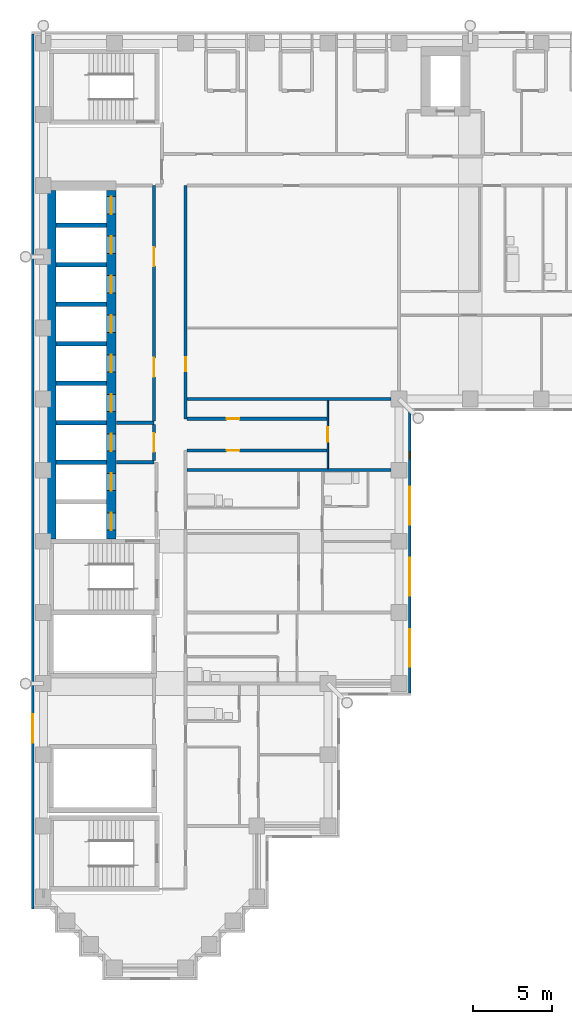
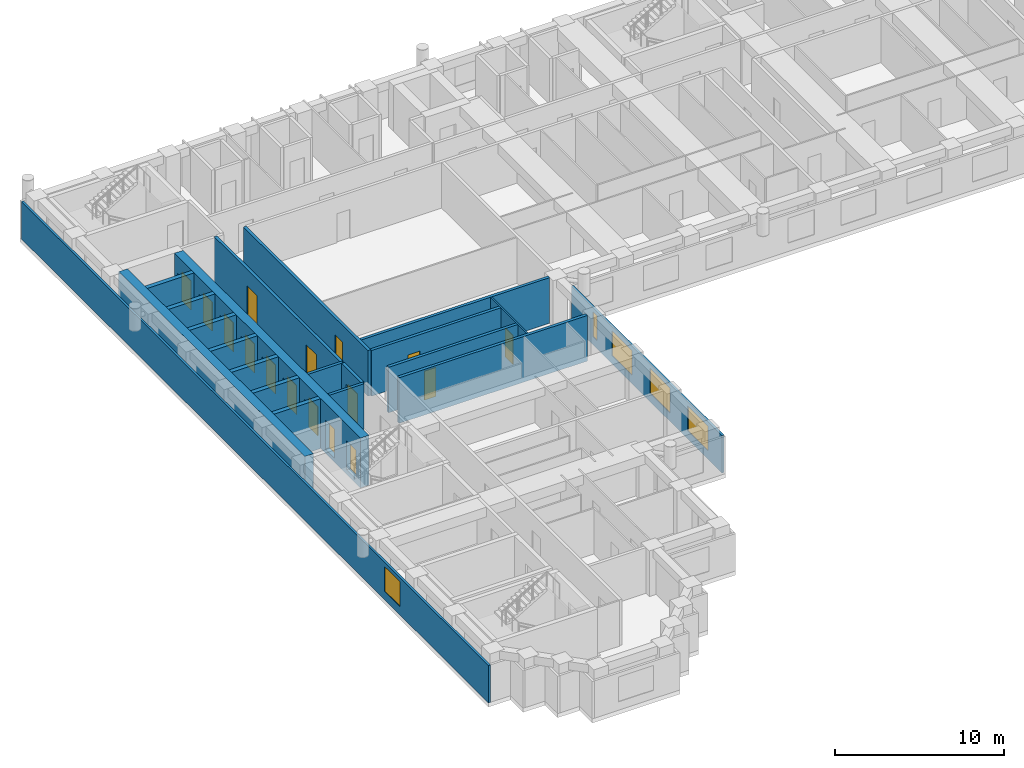
# One storey, part 6 of 14: 21 walls, 16 doors, 5 windows, 21 openings.
"""IFC4 building model written with IfcOpenShell, lengths in metres."""

from ifc_helpers import new_model, si_unit, direction, frame, frame_2d, origin, place, context, subcontext, project, spatial, rectangle, extrude, material, layer, layer_set, type_object, element, fill, save


model = new_model("IFC4")

# Units and contexts
model_context = context("Model", 3, precision=1e-05, world=origin(), true_north=direction((0.0, 1.0)))
body_context = subcontext(model_context, "Body", "Model", "MODEL_VIEW")
ifc_project = project(units=[si_unit("LENGTHUNIT", "METRE"), si_unit("AREAUNIT", "SQUARE_METRE"), si_unit("VOLUMEUNIT", "CUBIC_METRE"), si_unit("PLANEANGLEUNIT", "RADIAN"), si_unit("MASSUNIT", "GRAM", prefix="KILO")], contexts=[model_context])

# Site, building, storey
site_placement = place(None, origin())
site = spatial("IfcSite", under=ifc_project, at=site_placement, CompositionType="ELEMENT")
building_placement = place(site_placement, origin())
building = spatial("IfcBuilding", under=site, at=building_placement, Name="Firuza Court", CompositionType="ELEMENT")
storey_placement = place(building_placement, frame((0.0, 0.0, 159.199951171875)))
storey = spatial("IfcBuildingStorey", under=building, at=storey_placement, Name="L40", CompositionType="ELEMENT", Elevation=159.199951171875)

# Walls
ifc_material_1 = material(Name="Concrete C60/75", Category="concrete")
ifc_layer_1 = layer(ifc_material_1, 0.300048828125)
ifc_layer_set_1 = layer_set([ifc_layer_1], Name="Concrete C60/75")
wall_type_1 = type_object("IfcWallType", Name="Core wall 300 C60/75", PredefinedType="SHEAR", material=ifc_layer_set_1)
for number, where, z_axis, x_axis, name in (
    (1, (0.800048828125, 32.0, -0.300048828125), (0.0, 0.0, 1.0), (1.0, 0.0, 0.0), "Core wall lift shaft L40"),
    (2, (0.800048828125, 34.5, -0.300048828125), (0.0, 0.0, 1.0), (1.0, 0.0, 0.0), "Core wall lift shaft L40"),
    (3, (0.800048828125, 37.0, -0.300048828125), (0.0, 0.0, 1.0), (1.0, 0.0, 0.0), "Core wall lift shaft L40"),
    (4, (0.800048828125, 39.5, -0.300048828125), (0.0, 0.0, 1.0), (1.0, 0.0, 0.0), "Core wall lift shaft L40"),
    (5, (0.800048828125, 42.0, -0.300048828125), (0.0, 0.0, 1.0), (1.0, 0.0, 0.0), "Core wall lift shaft L40"),
    (6, (0.800048828125, 44.5, -0.300048828125), (0.0, 0.0, 1.0), (1.0, 0.0, 0.0), "Core wall lift shaft L40"),
    (7, (0.800048828125, 47.0, -0.300048828125), (0.0, 0.0, 1.0), (1.0, 0.0, 0.0), "Core wall lift shaft L40"),
):
    element("IfcWall", number, at=place(storey_placement, frame(where, z_axis=z_axis, x_axis=x_axis)), inside=storey, type_object=wall_type_1, Name=name, PredefinedType="SHEAR", context=body_context, shape_type="SweptSolid", body=[
        extrude(rectangle(XDim=3.199951171875, YDim=0.300048828125, at=frame_2d((1.60009765625, 0.0))), origin(), (0.0, 0.0, 1.0), 3.60009765625),
    ])
ifc_layer_2 = layer(ifc_material_1, 0.60009765625)
ifc_layer_set_2 = layer_set([ifc_layer_2], Name="Concrete C60/75")
wall_type_2 = type_object("IfcWallType", Name="Core wall 600 C60/75", PredefinedType="SHEAR", material=ifc_layer_set_2)
wall_1_placement = place(storey_placement, frame((0.5, 27.14990234375, -0.300048828125), z_axis=(0.0, 0.0, 1.0), x_axis=(0.0, 1.0, 0.0)))
element("IfcWall", 8, at=wall_1_placement, inside=storey, type_object=wall_type_2, Name="Core wall lift shaft L40", PredefinedType="SHEAR", context=body_context, shape_type="SweptSolid", body=[
    extrude(rectangle(XDim=22.050048828125, YDim=0.60009765625, at=frame_2d((11.02490234375, 0.0))), origin(), (0.0, 0.0, 1.0), 3.60009765625),
])

# Wall, openings, doors
wall_2_placement = place(storey_placement, frame((4.300048828125, 27.14990234375, -0.300048828125), z_axis=(0.0, 0.0, 1.0), x_axis=(0.0, 1.0, 0.0)))
wall_2 = element("IfcWall", 9, at=wall_2_placement, inside=storey, type_object=wall_type_2, Name="Core wall lift shaft L40", PredefinedType="SHEAR", context=body_context, shape_type="SweptSolid", body=[
    extrude(rectangle(XDim=22.050048828125, YDim=0.60009765625, at=frame_2d((11.02490234375, 0.0))), origin(), (0.0, 0.0, 1.0), 3.60009765625),
])
opening_1_placement = place(wall_2_placement, frame((3.050048828125, 0.0, 0.300048828125)))
opening_1 = element("IfcOpeningElement", 10, at=opening_1_placement, cuts=wall_2, Name="Opening LD-FL1-40", PredefinedType="OPENING", context=body_context, shape_type="SweptSolid", body=[
    extrude(rectangle(XDim=1.10009765625, YDim=2.10009765625, at=frame_2d((0.550048828125, 1.050048828125))), frame((0.0, 0.31201171875, 0.0), z_axis=(0.0, -1.0, 0.0), x_axis=(1.0, 0.0, 0.0)), (0.0, 0.0, 1.0), 0.6240234375),
])
opening_2_placement = place(wall_2_placement, frame((0.550048828125, 0.0, 0.300048828125)))
opening_2 = element("IfcOpeningElement", 11, at=opening_2_placement, cuts=wall_2, Name="Opening LD-FL2-40", PredefinedType="OPENING", context=body_context, shape_type="SweptSolid", body=[
    extrude(rectangle(XDim=1.10009765625, YDim=2.10009765625, at=frame_2d((0.550048828125, 1.050048828125))), frame((0.0, 0.31201171875, 0.0), z_axis=(0.0, -1.0, 0.0), x_axis=(1.0, 0.0, 0.0)), (0.0, 0.0, 1.0), 0.6240234375),
])
opening_3_placement = place(wall_2_placement, frame((20.550048828125, 0.0, 0.300048828125)))
opening_3 = element("IfcOpeningElement", 12, at=opening_3_placement, cuts=wall_2, Name="Opening LD-HB1-40", PredefinedType="OPENING", context=body_context, shape_type="SweptSolid", body=[
    extrude(rectangle(XDim=1.10009765625, YDim=2.10009765625, at=frame_2d((0.550048828125, 1.050048828125))), frame((0.0, 0.31201171875, 0.0), z_axis=(0.0, -1.0, 0.0), x_axis=(1.0, 0.0, 0.0)), (0.0, 0.0, 1.0), 0.6240234375),
])
opening_4_placement = place(wall_2_placement, frame((18.050048828125, 0.0, 0.300048828125)))
opening_4 = element("IfcOpeningElement", 13, at=opening_4_placement, cuts=wall_2, Name="Opening LD-HB2-40", PredefinedType="OPENING", context=body_context, shape_type="SweptSolid", body=[
    extrude(rectangle(XDim=1.10009765625, YDim=2.10009765625, at=frame_2d((0.550048828125, 1.050048828125))), frame((0.0, 0.31201171875, 0.0), z_axis=(0.0, -1.0, 0.0), x_axis=(1.0, 0.0, 0.0)), (0.0, 0.0, 1.0), 0.6240234375),
])
opening_5_placement = place(wall_2_placement, frame((15.550048828125, 0.0, 0.300048828125)))
opening_5 = element("IfcOpeningElement", 14, at=opening_5_placement, cuts=wall_2, Name="Opening LD-HB3-40", PredefinedType="OPENING", context=body_context, shape_type="SweptSolid", body=[
    extrude(rectangle(XDim=1.10009765625, YDim=2.10009765625, at=frame_2d((0.550048828125, 1.050048828125))), frame((0.0, 0.31201171875, 0.0), z_axis=(0.0, -1.0, 0.0), x_axis=(1.0, 0.0, 0.0)), (0.0, 0.0, 1.0), 0.6240234375),
])
opening_6_placement = place(wall_2_placement, frame((13.050048828125, 0.0, 0.300048828125)))
opening_6 = element("IfcOpeningElement", 15, at=opening_6_placement, cuts=wall_2, Name="Opening LD-HB4-40", PredefinedType="OPENING", context=body_context, shape_type="SweptSolid", body=[
    extrude(rectangle(XDim=1.10009765625, YDim=2.10009765625, at=frame_2d((0.550048828125, 1.050048828125))), frame((0.0, 0.31201171875, 0.0), z_axis=(0.0, -1.0, 0.0), x_axis=(1.0, 0.0, 0.0)), (0.0, 0.0, 1.0), 0.6240234375),
])
opening_7_placement = place(wall_2_placement, frame((10.550048828125, 0.0, 0.300048828125)))
opening_7 = element("IfcOpeningElement", 16, at=opening_7_placement, cuts=wall_2, Name="Opening LD-HB5-40", PredefinedType="OPENING", context=body_context, shape_type="SweptSolid", body=[
    extrude(rectangle(XDim=1.10009765625, YDim=2.10009765625, at=frame_2d((0.550048828125, 1.050048828125))), frame((0.0, 0.31201171875, 0.0), z_axis=(0.0, -1.0, 0.0), x_axis=(1.0, 0.0, 0.0)), (0.0, 0.0, 1.0), 0.6240234375),
])
opening_8_placement = place(wall_2_placement, frame((8.050048828125, 0.0, 0.300048828125)))
opening_8 = element("IfcOpeningElement", 17, at=opening_8_placement, cuts=wall_2, Name="Opening LD-HB6-40", PredefinedType="OPENING", context=body_context, shape_type="SweptSolid", body=[
    extrude(rectangle(XDim=1.10009765625, YDim=2.10009765625, at=frame_2d((0.550048828125, 1.050048828125))), frame((0.0, 0.31201171875, 0.0), z_axis=(0.0, -1.0, 0.0), x_axis=(1.0, 0.0, 0.0)), (0.0, 0.0, 1.0), 0.6240234375),
])
opening_9_placement = place(wall_2_placement, frame((5.550048828125, 0.0, 0.300048828125)))
opening_9 = element("IfcOpeningElement", 18, at=opening_9_placement, cuts=wall_2, Name="Opening LD-SL1-40", PredefinedType="OPENING", context=body_context, shape_type="SweptSolid", body=[
    extrude(rectangle(XDim=1.10009765625, YDim=2.10009765625, at=frame_2d((0.550048828125, 1.050048828125))), frame((0.0, 0.31201171875, 0.0), z_axis=(0.0, -1.0, 0.0), x_axis=(1.0, 0.0, 0.0)), (0.0, 0.0, 1.0), 0.6240234375),
])
ifc_material_2 = material(Name="Stainless steel 1.4301 door leaf", Category="steel")
door_type_1 = type_object("IfcDoorType", Name="Lift landing door 1100", OperationType="SLIDING_TO_LEFT", PredefinedType="DOOR", material=ifc_material_2)
door_1_placement = place(opening_1_placement, origin())
door_1 = element("IfcDoor", 19, at=door_1_placement, inside=storey, type_object=door_type_1, Name="Landing door FL1", OperationType="SLIDING_TO_LEFT", OverallHeight=2.10009765625, OverallWidth=1.10009765625, PredefinedType="DOOR", context=body_context, shape_type="SweptSolid", body=[
    extrude(rectangle(XDim=1.10009765625, YDim=2.10009765625, at=frame_2d((0.550048828125, 1.050048828125))), frame((0.0, 0.02490234375, 0.0), z_axis=(0.0, -1.0, 0.0), x_axis=(1.0, 0.0, 0.0)), (0.0, 0.0, 1.0), 0.050048828125),
])
fill(opening_1, door_1)
door_2_placement = place(opening_2_placement, origin())
door_2 = element("IfcDoor", 20, at=door_2_placement, inside=storey, type_object=door_type_1, Name="Landing door FL2", OperationType="SLIDING_TO_LEFT", OverallHeight=2.10009765625, OverallWidth=1.10009765625, PredefinedType="DOOR", context=body_context, shape_type="SweptSolid", body=[
    extrude(rectangle(XDim=1.10009765625, YDim=2.10009765625, at=frame_2d((0.550048828125, 1.050048828125))), frame((0.0, 0.02490234375, 0.0), z_axis=(0.0, -1.0, 0.0), x_axis=(1.0, 0.0, 0.0)), (0.0, 0.0, 1.0), 0.050048828125),
])
fill(opening_2, door_2)
door_3_placement = place(opening_3_placement, origin())
door_3 = element("IfcDoor", 21, at=door_3_placement, inside=storey, type_object=door_type_1, Name="Landing door HB1", OperationType="SLIDING_TO_LEFT", OverallHeight=2.10009765625, OverallWidth=1.10009765625, PredefinedType="DOOR", context=body_context, shape_type="SweptSolid", body=[
    extrude(rectangle(XDim=1.10009765625, YDim=2.10009765625, at=frame_2d((0.550048828125, 1.050048828125))), frame((0.0, 0.02490234375, 0.0), z_axis=(0.0, -1.0, 0.0), x_axis=(1.0, 0.0, 0.0)), (0.0, 0.0, 1.0), 0.050048828125),
])
fill(opening_3, door_3)
door_4_placement = place(opening_4_placement, origin())
door_4 = element("IfcDoor", 22, at=door_4_placement, inside=storey, type_object=door_type_1, Name="Landing door HB2", OperationType="SLIDING_TO_LEFT", OverallHeight=2.10009765625, OverallWidth=1.10009765625, PredefinedType="DOOR", context=body_context, shape_type="SweptSolid", body=[
    extrude(rectangle(XDim=1.10009765625, YDim=2.10009765625, at=frame_2d((0.550048828125, 1.050048828125))), frame((0.0, 0.02490234375, 0.0), z_axis=(0.0, -1.0, 0.0), x_axis=(1.0, 0.0, 0.0)), (0.0, 0.0, 1.0), 0.050048828125),
])
fill(opening_4, door_4)
door_5_placement = place(opening_5_placement, origin())
door_5 = element("IfcDoor", 23, at=door_5_placement, inside=storey, type_object=door_type_1, Name="Landing door HB3", OperationType="SLIDING_TO_LEFT", OverallHeight=2.10009765625, OverallWidth=1.10009765625, PredefinedType="DOOR", context=body_context, shape_type="SweptSolid", body=[
    extrude(rectangle(XDim=1.10009765625, YDim=2.10009765625, at=frame_2d((0.550048828125, 1.050048828125))), frame((0.0, 0.02490234375, 0.0), z_axis=(0.0, -1.0, 0.0), x_axis=(1.0, 0.0, 0.0)), (0.0, 0.0, 1.0), 0.050048828125),
])
fill(opening_5, door_5)
door_6_placement = place(opening_6_placement, origin())
door_6 = element("IfcDoor", 24, at=door_6_placement, inside=storey, type_object=door_type_1, Name="Landing door HB4", OperationType="SLIDING_TO_LEFT", OverallHeight=2.10009765625, OverallWidth=1.10009765625, PredefinedType="DOOR", context=body_context, shape_type="SweptSolid", body=[
    extrude(rectangle(XDim=1.10009765625, YDim=2.10009765625, at=frame_2d((0.550048828125, 1.050048828125))), frame((0.0, 0.02490234375, 0.0), z_axis=(0.0, -1.0, 0.0), x_axis=(1.0, 0.0, 0.0)), (0.0, 0.0, 1.0), 0.050048828125),
])
fill(opening_6, door_6)
door_7_placement = place(opening_7_placement, origin())
door_7 = element("IfcDoor", 25, at=door_7_placement, inside=storey, type_object=door_type_1, Name="Landing door HB5", OperationType="SLIDING_TO_LEFT", OverallHeight=2.10009765625, OverallWidth=1.10009765625, PredefinedType="DOOR", context=body_context, shape_type="SweptSolid", body=[
    extrude(rectangle(XDim=1.10009765625, YDim=2.10009765625, at=frame_2d((0.550048828125, 1.050048828125))), frame((0.0, 0.02490234375, 0.0), z_axis=(0.0, -1.0, 0.0), x_axis=(1.0, 0.0, 0.0)), (0.0, 0.0, 1.0), 0.050048828125),
])
fill(opening_7, door_7)
door_8_placement = place(opening_8_placement, origin())
door_8 = element("IfcDoor", 26, at=door_8_placement, inside=storey, type_object=door_type_1, Name="Landing door HB6", OperationType="SLIDING_TO_LEFT", OverallHeight=2.10009765625, OverallWidth=1.10009765625, PredefinedType="DOOR", context=body_context, shape_type="SweptSolid", body=[
    extrude(rectangle(XDim=1.10009765625, YDim=2.10009765625, at=frame_2d((0.550048828125, 1.050048828125))), frame((0.0, 0.02490234375, 0.0), z_axis=(0.0, -1.0, 0.0), x_axis=(1.0, 0.0, 0.0)), (0.0, 0.0, 1.0), 0.050048828125),
])
fill(opening_8, door_8)
door_9_placement = place(opening_9_placement, origin())
door_9 = element("IfcDoor", 27, at=door_9_placement, inside=storey, type_object=door_type_1, Name="Landing door SL1", OperationType="SLIDING_TO_LEFT", OverallHeight=2.10009765625, OverallWidth=1.10009765625, PredefinedType="DOOR", context=body_context, shape_type="SweptSolid", body=[
    extrude(rectangle(XDim=1.10009765625, YDim=2.10009765625, at=frame_2d((0.550048828125, 1.050048828125))), frame((0.0, 0.02490234375, 0.0), z_axis=(0.0, -1.0, 0.0), x_axis=(1.0, 0.0, 0.0)), (0.0, 0.0, 1.0), 0.050048828125),
])
fill(opening_9, door_9)

# Wall, opening, door
ifc_material_3 = material(Name="Blockwork, plastered both sides", Category="masonry")
ifc_layer_3 = layer(ifc_material_3, 0.199951171875)
ifc_layer_set_3 = layer_set([ifc_layer_3], Name="Blockwork, plastered both sides")
wall_type_3 = type_object("IfcWallType", Name="Corridor wall 200", PredefinedType="PARTITIONING", material=ifc_layer_set_3)
wall_3_placement = place(storey_placement, frame((9.10009765625, 32.75, 0.0), z_axis=(0.0, 0.0, 1.0), x_axis=(1.0, 0.0, 0.0)))
wall_3 = element("IfcWall", 28, at=wall_3_placement, inside=storey, type_object=wall_type_3, Name="Corridor wall 200 L40", PredefinedType="PARTITIONING", context=body_context, shape_type="SweptSolid", body=[
    extrude(rectangle(XDim=8.849853515625, YDim=0.199951171875, at=frame_2d((4.4248046875, 0.0))), origin(), (0.0, 0.0, 1.0), 3.300048828125),
])
opening_10_placement = place(wall_3_placement, frame((2.5, 0.0, 0.0)))
opening_10 = element("IfcOpeningElement", 29, at=opening_10_placement, cuts=wall_3, Name="Opening D40036", PredefinedType="OPENING", context=body_context, shape_type="SweptSolid", body=[
    extrude(rectangle(XDim=0.800048828125, YDim=2.10009765625, at=frame_2d((0.39990234375, 1.050048828125))), frame((0.0, 0.11181640625, 0.0), z_axis=(0.0, -1.0, 0.0), x_axis=(1.0, 0.0, 0.0)), (0.0, 0.0, 1.0), 0.223876953125),
])
ifc_material_4 = material(Name="Timber door leaf in hardwood frame", Category="wood")
door_type_2 = type_object("IfcDoorType", Name="Room door 800 EI 30", OperationType="SINGLE_SWING_LEFT", PredefinedType="DOOR", material=ifc_material_4)
door_10_placement = place(opening_10_placement, frame((0.800048828125, 0.0, 0.0), z_axis=(0.0, 0.0, 1.0), x_axis=(-1.0, 0.0, 0.0)))
door_10 = element("IfcDoor", 30, at=door_10_placement, inside=storey, type_object=door_type_2, Name="Store door", OperationType="SINGLE_SWING_RIGHT", OverallHeight=2.10009765625, OverallWidth=0.800048828125, PredefinedType="DOOR", context=body_context, shape_type="SweptSolid", body=[
    extrude(rectangle(XDim=0.800048828125, YDim=2.10009765625, at=frame_2d((0.39990234375, 1.050048828125))), frame((0.0, 0.02490234375, 0.0), z_axis=(0.0, -1.0, 0.0), x_axis=(1.0, 0.0, 0.0)), (0.0, 0.0, 1.0), 0.050048828125),
])
fill(opening_10, door_10)

wall_4_placement = place(storey_placement, frame((9.0, 34.75, 0.0), z_axis=(0.0, 0.0, 1.0), x_axis=(0.0, 1.0, 0.0)))
wall_4 = element("IfcWall", 31, at=wall_4_placement, inside=storey, type_object=wall_type_3, Name="Corridor wall 200 L40", PredefinedType="PARTITIONING", context=body_context, shape_type="SweptSolid", body=[
    extrude(rectangle(XDim=14.75, YDim=0.199951171875, at=frame_2d((7.375, 0.0))), origin(), (0.0, 0.0, 1.0), 3.300048828125),
])
opening_11_placement = place(wall_4_placement, frame((3.0, 0.0, 0.0)))
opening_11 = element("IfcOpeningElement", 32, at=opening_11_placement, cuts=wall_4, Name="Opening D40037", PredefinedType="OPENING", context=body_context, shape_type="SweptSolid", body=[
    extrude(rectangle(XDim=0.89990234375, YDim=2.10009765625, at=frame_2d((0.449951171875, 1.050048828125))), frame((0.0, 0.11181640625, 0.0), z_axis=(0.0, -1.0, 0.0), x_axis=(1.0, 0.0, 0.0)), (0.0, 0.0, 1.0), 0.223876953125),
])
ifc_material_5 = material(Name="Timber door leaf in hardwood frame", Category="wood")
door_type_3 = type_object("IfcDoorType", Name="Room door 900 EI 30", OperationType="SINGLE_SWING_LEFT", PredefinedType="DOOR", material=ifc_material_5)
door_11_placement = place(opening_11_placement, origin())
door_11 = element("IfcDoor", 33, at=door_11_placement, inside=storey, type_object=door_type_3, Name="Fitness studio door", OperationType="SINGLE_SWING_LEFT", OverallHeight=2.10009765625, OverallWidth=0.89990234375, PredefinedType="DOOR", context=body_context, shape_type="SweptSolid", body=[
    extrude(rectangle(XDim=0.89990234375, YDim=2.10009765625, at=frame_2d((0.449951171875, 1.050048828125))), frame((0.0, 0.02490234375, 0.0), z_axis=(0.0, -1.0, 0.0), x_axis=(1.0, 0.0, 0.0)), (0.0, 0.0, 1.0), 0.050048828125),
])
fill(opening_11, door_11)

wall_5_placement = place(storey_placement, frame((9.10009765625, 34.75, 0.0), z_axis=(0.0, 0.0, 1.0), x_axis=(1.0, 0.0, 0.0)))
wall_5 = element("IfcWall", 34, at=wall_5_placement, inside=storey, type_object=wall_type_3, Name="Corridor wall 200 L40", PredefinedType="PARTITIONING", context=body_context, shape_type="SweptSolid", body=[
    extrude(rectangle(XDim=8.849853515625, YDim=0.199951171875, at=frame_2d((4.4248046875, 0.0))), origin(), (0.0, 0.0, 1.0), 3.300048828125),
])
opening_12_placement = place(wall_5_placement, frame((2.5, 0.0, 0.0)))
opening_12 = element("IfcOpeningElement", 35, at=opening_12_placement, cuts=wall_5, Name="Opening D40038", PredefinedType="OPENING", context=body_context, shape_type="SweptSolid", body=[
    extrude(rectangle(XDim=0.800048828125, YDim=2.10009765625, at=frame_2d((0.39990234375, 1.050048828125))), frame((0.0, 0.11181640625, 0.0), z_axis=(0.0, -1.0, 0.0), x_axis=(1.0, 0.0, 0.0)), (0.0, 0.0, 1.0), 0.223876953125),
])
door_12_placement = place(opening_12_placement, origin())
door_12 = element("IfcDoor", 36, at=door_12_placement, inside=storey, type_object=door_type_2, Name="Store door", OperationType="SINGLE_SWING_LEFT", OverallHeight=2.10009765625, OverallWidth=0.800048828125, PredefinedType="DOOR", context=body_context, shape_type="SweptSolid", body=[
    extrude(rectangle(XDim=0.800048828125, YDim=2.10009765625, at=frame_2d((0.39990234375, 1.050048828125))), frame((0.0, 0.02490234375, 0.0), z_axis=(0.0, -1.0, 0.0), x_axis=(1.0, 0.0, 0.0)), (0.0, 0.0, 1.0), 0.050048828125),
])
fill(opening_12, door_12)

ifc_material_6 = material(Name="Timber stud partition, plasterboard both sides", Category="wood")
ifc_layer_4 = layer(ifc_material_6, 0.10009765625)
ifc_layer_set_4 = layer_set([ifc_layer_4], Name="Timber stud partition, plasterboard both sides")
wall_type_4 = type_object("IfcWallType", Name="Partition wall 100", PredefinedType="PARTITIONING", material=ifc_layer_set_4)
wall_6_placement = place(storey_placement, frame((18.0, 31.60009765625, 0.0), z_axis=(0.0, 0.0, 1.0), x_axis=(0.0, 1.0, 0.0)))
wall_6 = element("IfcWall", 37, at=wall_6_placement, inside=storey, type_object=wall_type_4, Name="Partition wall 100 L40", PredefinedType="PARTITIONING", context=body_context, shape_type="SweptSolid", body=[
    extrude(rectangle(XDim=4.2998046875, YDim=0.10009765625, at=frame_2d((2.14990234375, 0.0))), origin(), (0.0, 0.0, 1.0), 3.300048828125),
])
opening_13_placement = place(wall_6_placement, frame((1.699951171875, 0.0, 0.0)))
opening_13 = element("IfcOpeningElement", 38, at=opening_13_placement, cuts=wall_6, Name="Opening D40035", PredefinedType="OPENING", context=body_context, shape_type="SweptSolid", body=[
    extrude(rectangle(XDim=0.89990234375, YDim=2.10009765625, at=frame_2d((0.449951171875, 1.050048828125))), frame((0.0, 0.06201171875, 0.0), z_axis=(0.0, -1.0, 0.0), x_axis=(1.0, 0.0, 0.0)), (0.0, 0.0, 1.0), 0.1240234375),
])
ifc_material_7 = material(Name="Timber door leaf in hardwood frame", Category="wood")
door_type_4 = type_object("IfcDoorType", Name="Room door 900", OperationType="SINGLE_SWING_LEFT", PredefinedType="DOOR", material=ifc_material_7)
door_13_placement = place(opening_13_placement, origin())
door_13 = element("IfcDoor", 39, at=door_13_placement, inside=storey, type_object=door_type_4, Name="Residents' lounge door", OperationType="SINGLE_SWING_LEFT", OverallHeight=2.10009765625, OverallWidth=0.89990234375, PredefinedType="DOOR", context=body_context, shape_type="SweptSolid", body=[
    extrude(rectangle(XDim=0.89990234375, YDim=2.10009765625, at=frame_2d((0.449951171875, 1.050048828125))), frame((0.0, 0.02490234375, 0.0), z_axis=(0.0, -1.0, 0.0), x_axis=(1.0, 0.0, 0.0)), (0.0, 0.0, 1.0), 0.050048828125),
])
fill(opening_13, door_13)

# Walls
ifc_layer_5 = layer(ifc_material_3, 0.199951171875)
ifc_layer_set_5 = layer_set([ifc_layer_5], Name="Blockwork, plastered both sides")
wall_type_5 = type_object("IfcWallType", Name="Party wall 200", PredefinedType="PARTITIONING", material=ifc_layer_set_5)
for number, where, z_axis, x_axis, name in (
    (40, (9.10009765625, 31.5, 0.0), (0.0, 0.0, 1.0), (1.0, 0.0, 0.0), "Party wall 200 L40"),
    (41, (9.10009765625, 36.0, 0.0), (0.0, 0.0, 1.0), (1.0, 0.0, 0.0), "Party wall 200 L40"),
):
    element("IfcWall", number, at=place(storey_placement, frame(where, z_axis=z_axis, x_axis=x_axis)), inside=storey, type_object=wall_type_5, Name=name, PredefinedType="PARTITIONING", context=body_context, shape_type="SweptSolid", body=[
        extrude(rectangle(XDim=12.89990234375, YDim=0.199951171875, at=frame_2d((6.449951171875, 0.0))), origin(), (0.0, 0.0, 1.0), 3.300048828125),
    ])

# Wall, openings, windows
ifc_material_8 = material(Name="Ceramic tile", Category="ceramic")
ifc_layer_6 = layer(ifc_material_8, 0.02001953125)
ifc_material_9 = material(Name="Mineral wool insulation", Category="insulation")
ifc_layer_7 = layer(ifc_material_9, 0.050048828125)
ifc_material_10 = material(Name="Concrete C40/50 precast", Category="concrete")
ifc_layer_8 = layer(ifc_material_10, 0.080078125)
ifc_layer_set_6 = layer_set([ifc_layer_6, ifc_layer_7, ifc_layer_8], Name="Concrete C40/50 precast")
wall_type_6 = type_object("IfcWallType", Name="Precast cladding wall with turquoise TILE PANEL face 150", PredefinedType="STANDARD", material=ifc_layer_set_6)
wall_7_placement = place(storey_placement, frame((23.175048828125, 17.39990234375, 0.0), z_axis=(0.0, 0.0, 1.0), x_axis=(0.0, 1.0, 0.0)))
wall_7 = element("IfcWall", 42, at=wall_7_placement, inside=storey, type_object=wall_type_6, Name="Facade wall L40 E", PredefinedType="STANDARD", context=body_context, shape_type="SweptSolid", body=[
    extrude(rectangle(XDim=17.85009765625, YDim=0.14990234375, at=frame_2d((8.925048828125, 0.0))), origin(), (0.0, 0.0, 1.0), 2.699951171875),
])
opening_14_placement = place(wall_7_placement, frame((1.64990234375, 0.0, 0.60009765625)))
opening_14 = element("IfcOpeningElement", 43, at=opening_14_placement, cuts=wall_7, Name="Opening W1", PredefinedType="OPENING", context=body_context, shape_type="SweptSolid", body=[
    extrude(rectangle(XDim=2.39990234375, YDim=1.800048828125, at=frame_2d((1.199951171875, 0.89990234375))), frame((0.0, 0.0869140625, 0.0), z_axis=(0.0, -1.0, 0.0), x_axis=(1.0, 0.0, 0.0)), (0.0, 0.0, 1.0), 0.173828125),
])
opening_15_placement = place(wall_7_placement, frame((6.14990234375, 0.0, 0.60009765625)))
opening_15 = element("IfcOpeningElement", 44, at=opening_15_placement, cuts=wall_7, Name="Opening W1", PredefinedType="OPENING", context=body_context, shape_type="SweptSolid", body=[
    extrude(rectangle(XDim=2.39990234375, YDim=1.800048828125, at=frame_2d((1.199951171875, 0.89990234375))), frame((0.0, 0.0869140625, 0.0), z_axis=(0.0, -1.0, 0.0), x_axis=(1.0, 0.0, 0.0)), (0.0, 0.0, 1.0), 0.173828125),
])
opening_16_placement = place(wall_7_placement, frame((10.64990234375, 0.0, 0.60009765625)))
opening_16 = element("IfcOpeningElement", 45, at=opening_16_placement, cuts=wall_7, Name="Opening W1", PredefinedType="OPENING", context=body_context, shape_type="SweptSolid", body=[
    extrude(rectangle(XDim=2.39990234375, YDim=1.800048828125, at=frame_2d((1.199951171875, 0.89990234375))), frame((0.0, 0.0869140625, 0.0), z_axis=(0.0, -1.0, 0.0), x_axis=(1.0, 0.0, 0.0)), (0.0, 0.0, 1.0), 0.173828125),
])
opening_17_placement = place(wall_7_placement, frame((14.8203125, 0.0, 0.60009765625)))
opening_17 = element("IfcOpeningElement", 46, at=opening_17_placement, cuts=wall_7, Name="Opening W5", PredefinedType="OPENING", context=body_context, shape_type="SweptSolid", body=[
    extrude(rectangle(XDim=0.449951171875, YDim=1.800048828125, at=frame_2d((0.22509765625, 0.89990234375))), frame((0.0, 0.0869140625, 0.0), z_axis=(0.0, -1.0, 0.0), x_axis=(1.0, 0.0, 0.0)), (0.0, 0.0, 1.0), 0.173828125),
])
ifc_material_11 = material(Name="Aluminium frame, triple clear glazing", Category="aluminium")
window_type_1 = type_object("IfcWindowType", Name="Window W1 2400 x 1800", PartitioningType="SINGLE_PANEL", PredefinedType="WINDOW", material=ifc_material_11)
window_1_placement = place(opening_14_placement, origin())
window_1 = element("IfcWindow", 47, at=window_1_placement, inside=storey, type_object=window_type_1, Name="Window L40", OverallHeight=1.800048828125, OverallWidth=2.39990234375, PartitioningType="SINGLE_PANEL", PredefinedType="WINDOW", context=body_context, shape_type="SweptSolid", body=[
    extrude(rectangle(XDim=2.39990234375, YDim=1.800048828125, at=frame_2d((1.199951171875, 0.89990234375))), frame((0.0, 0.030029296875, 0.0), z_axis=(0.0, -1.0, 0.0), x_axis=(1.0, 0.0, 0.0)), (0.0, 0.0, 1.0), 0.06005859375),
])
fill(opening_14, window_1)
window_2_placement = place(opening_15_placement, origin())
window_2 = element("IfcWindow", 48, at=window_2_placement, inside=storey, type_object=window_type_1, Name="Window L40", OverallHeight=1.800048828125, OverallWidth=2.39990234375, PartitioningType="SINGLE_PANEL", PredefinedType="WINDOW", context=body_context, shape_type="SweptSolid", body=[
    extrude(rectangle(XDim=2.39990234375, YDim=1.800048828125, at=frame_2d((1.199951171875, 0.89990234375))), frame((0.0, 0.030029296875, 0.0), z_axis=(0.0, -1.0, 0.0), x_axis=(1.0, 0.0, 0.0)), (0.0, 0.0, 1.0), 0.06005859375),
])
fill(opening_15, window_2)
window_3_placement = place(opening_16_placement, origin())
window_3 = element("IfcWindow", 49, at=window_3_placement, inside=storey, type_object=window_type_1, Name="Window L40", OverallHeight=1.800048828125, OverallWidth=2.39990234375, PartitioningType="SINGLE_PANEL", PredefinedType="WINDOW", context=body_context, shape_type="SweptSolid", body=[
    extrude(rectangle(XDim=2.39990234375, YDim=1.800048828125, at=frame_2d((1.199951171875, 0.89990234375))), frame((0.0, 0.030029296875, 0.0), z_axis=(0.0, -1.0, 0.0), x_axis=(1.0, 0.0, 0.0)), (0.0, 0.0, 1.0), 0.06005859375),
])
fill(opening_16, window_3)
ifc_material_12 = material(Name="Aluminium frame, triple clear glazing", Category="aluminium")
window_type_2 = type_object("IfcWindowType", Name="Window W5 450 x 1800", PartitioningType="SINGLE_PANEL", PredefinedType="WINDOW", material=ifc_material_12)
window_4_placement = place(opening_17_placement, origin())
window_4 = element("IfcWindow", 50, at=window_4_placement, inside=storey, type_object=window_type_2, Name="Window L40", OverallHeight=1.800048828125, OverallWidth=0.449951171875, PartitioningType="SINGLE_PANEL", PredefinedType="WINDOW", context=body_context, shape_type="SweptSolid", body=[
    extrude(rectangle(XDim=0.449951171875, YDim=1.800048828125, at=frame_2d((0.22509765625, 0.89990234375))), frame((0.0, 0.030029296875, 0.0), z_axis=(0.0, -1.0, 0.0), x_axis=(1.0, 0.0, 0.0)), (0.0, 0.0, 1.0), 0.06005859375),
])
fill(opening_17, window_4)

# Wall, opening, window
wall_8_placement = place(storey_placement, frame((-0.675048828125, 59.10009765625, 0.0), z_axis=(0.0, 0.0, 1.0), x_axis=(0.0, -1.0, 0.0)))
wall_8 = element("IfcWall", 51, at=wall_8_placement, inside=storey, type_object=wall_type_6, Name="Facade wall L40 W", PredefinedType="STANDARD", context=body_context, shape_type="SweptSolid", body=[
    extrude(rectangle(XDim=55.35009765625, YDim=0.14990234375, at=frame_2d((27.675048828125, 0.0))), origin(), (0.0, 0.0, 1.0), 2.699951171875),
])
opening_18_placement = place(wall_8_placement, frame((43.040283203125, 0.0, 0.60009765625)))
opening_18 = element("IfcOpeningElement", 52, at=opening_18_placement, cuts=wall_8, Name="Opening W7", PredefinedType="OPENING", context=body_context, shape_type="SweptSolid", body=[
    extrude(rectangle(XDim=1.800048828125, YDim=1.800048828125, at=frame_2d((0.89990234375, 0.89990234375))), frame((0.0, 0.0869140625, 0.0), z_axis=(0.0, -1.0, 0.0), x_axis=(1.0, 0.0, 0.0)), (0.0, 0.0, 1.0), 0.173828125),
])
ifc_material_13 = material(Name="Aluminium frame, triple clear glazing", Category="aluminium")
window_type_3 = type_object("IfcWindowType", Name="Window W7 1800 x 1800", PartitioningType="SINGLE_PANEL", PredefinedType="WINDOW", material=ifc_material_13)
window_5_placement = place(opening_18_placement, origin())
window_5 = element("IfcWindow", 53, at=window_5_placement, inside=storey, type_object=window_type_3, Name="Window L40", OverallHeight=1.800048828125, OverallWidth=1.800048828125, PartitioningType="SINGLE_PANEL", PredefinedType="WINDOW", context=body_context, shape_type="SweptSolid", body=[
    extrude(rectangle(XDim=1.800048828125, YDim=1.800048828125, at=frame_2d((0.89990234375, 0.89990234375))), frame((0.0, 0.030029296875, 0.0), z_axis=(0.0, -1.0, 0.0), x_axis=(1.0, 0.0, 0.0)), (0.0, 0.0, 1.0), 0.06005859375),
])
fill(opening_18, window_5)

# Wall
ifc_material_14 = material(Name="Blockwork, fire-rated", Category="masonry")
ifc_layer_9 = layer(ifc_material_14, 0.199951171875)
ifc_layer_set_7 = layer_set([ifc_layer_9], Name="Blockwork, fire-rated")
wall_type_7 = type_object("IfcWallType", Name="Shaft wall 200", PredefinedType="PARTITIONING", material=ifc_layer_set_7)
wall_9_placement = place(storey_placement, frame((4.6201171875, 34.5, 0.0), z_axis=(0.0, 0.0, 1.0), x_axis=(1.0, 0.0, 0.0)))
element("IfcWall", 54, at=wall_9_placement, inside=storey, type_object=wall_type_7, Name="Shaft wall 200 L40", PredefinedType="PARTITIONING", context=body_context, shape_type="SweptSolid", body=[
    extrude(rectangle(XDim=2.3798828125, YDim=0.199951171875, at=frame_2d((1.18994140625, 0.0))), origin(), (0.0, 0.0, 1.0), 3.300048828125),
])

# Wall, openings, doors
wall_10_placement = place(storey_placement, frame((7.0, 34.60009765625, 0.0), z_axis=(0.0, 0.0, 1.0), x_axis=(0.0, 1.0, 0.0)))
wall_10 = element("IfcWall", 55, at=wall_10_placement, inside=storey, type_object=wall_type_7, Name="Shaft wall 200 L40", PredefinedType="PARTITIONING", context=body_context, shape_type="SweptSolid", body=[
    extrude(rectangle(XDim=14.89990234375, YDim=0.199951171875, at=frame_2d((7.449951171875, 0.0))), origin(), (0.0, 0.0, 1.0), 3.300048828125),
])
opening_19_placement = place(wall_10_placement, frame((2.800048828125, 0.0, 0.0)))
opening_19 = element("IfcOpeningElement", 56, at=opening_19_placement, cuts=wall_10, Name="Opening D40004", PredefinedType="OPENING", context=body_context, shape_type="SweptSolid", body=[
    extrude(rectangle(XDim=1.199951171875, YDim=2.10009765625, at=frame_2d((0.60009765625, 1.050048828125))), frame((0.0, 0.11181640625, 0.0), z_axis=(0.0, -1.0, 0.0), x_axis=(1.0, 0.0, 0.0)), (0.0, 0.0, 1.0), 0.223876953125),
])
opening_20_placement = place(wall_10_placement, frame((9.800048828125, 0.0, 0.0)))
opening_20 = element("IfcOpeningElement", 57, at=opening_20_placement, cuts=wall_10, Name="Opening D40005", PredefinedType="OPENING", context=body_context, shape_type="SweptSolid", body=[
    extrude(rectangle(XDim=1.199951171875, YDim=2.10009765625, at=frame_2d((0.60009765625, 1.050048828125))), frame((0.0, 0.11181640625, 0.0), z_axis=(0.0, -1.0, 0.0), x_axis=(1.0, 0.0, 0.0)), (0.0, 0.0, 1.0), 0.223876953125),
])
ifc_material_15 = material(Name="Timber door leaf in hardwood frame", Category="wood")
door_type_5 = type_object("IfcDoorType", Name="Lobby door 1200", OperationType="SINGLE_SWING_LEFT", PredefinedType="DOOR", material=ifc_material_15)
door_14_placement = place(opening_19_placement, origin())
door_14 = element("IfcDoor", 58, at=door_14_placement, inside=storey, type_object=door_type_5, Name="Lobby door", OperationType="SINGLE_SWING_LEFT", OverallHeight=2.10009765625, OverallWidth=1.199951171875, PredefinedType="DOOR", context=body_context, shape_type="SweptSolid", body=[
    extrude(rectangle(XDim=1.199951171875, YDim=2.10009765625, at=frame_2d((0.60009765625, 1.050048828125))), frame((0.0, 0.02490234375, 0.0), z_axis=(0.0, -1.0, 0.0), x_axis=(1.0, 0.0, 0.0)), (0.0, 0.0, 1.0), 0.050048828125),
])
fill(opening_19, door_14)
door_15_placement = place(opening_20_placement, origin())
door_15 = element("IfcDoor", 59, at=door_15_placement, inside=storey, type_object=door_type_5, Name="Lobby door", OperationType="SINGLE_SWING_RIGHT", OverallHeight=2.10009765625, OverallWidth=1.199951171875, PredefinedType="DOOR", context=body_context, shape_type="SweptSolid", body=[
    extrude(rectangle(XDim=1.199951171875, YDim=2.10009765625, at=frame_2d((0.60009765625, 1.050048828125))), frame((0.0, 0.02490234375, 0.0), z_axis=(0.0, -1.0, 0.0), x_axis=(1.0, 0.0, 0.0)), (0.0, 0.0, 1.0), 0.050048828125),
])
fill(opening_20, door_15)

# Wall
wall_11_placement = place(storey_placement, frame((4.6201171875, 32.0, 0.0), z_axis=(0.0, 0.0, 1.0), x_axis=(1.0, 0.0, 0.0)))
element("IfcWall", 60, at=wall_11_placement, inside=storey, type_object=wall_type_7, Name="Shaft wall 200 L40", PredefinedType="PARTITIONING", context=body_context, shape_type="SweptSolid", body=[
    extrude(rectangle(XDim=2.3798828125, YDim=0.199951171875, at=frame_2d((1.18994140625, 0.0))), origin(), (0.0, 0.0, 1.0), 3.300048828125),
])

# Wall, opening, door
wall_12_placement = place(storey_placement, frame((7.0, 32.10009765625, 0.0), z_axis=(0.0, 0.0, 1.0), x_axis=(0.0, 1.0, 0.0)))
wall_12 = element("IfcWall", 61, at=wall_12_placement, inside=storey, type_object=wall_type_7, Name="Shaft wall 200 L40", PredefinedType="PARTITIONING", context=body_context, shape_type="SweptSolid", body=[
    extrude(rectangle(XDim=2.2998046875, YDim=0.199951171875, at=frame_2d((1.14990234375, 0.0))), origin(), (0.0, 0.0, 1.0), 3.300048828125),
])
opening_21_placement = place(wall_12_placement, frame((0.550048828125, 0.0, 0.0)))
opening_21 = element("IfcOpeningElement", 62, at=opening_21_placement, cuts=wall_12, Name="Opening D40008", PredefinedType="OPENING", context=body_context, shape_type="SweptSolid", body=[
    extrude(rectangle(XDim=1.199951171875, YDim=2.10009765625, at=frame_2d((0.60009765625, 1.050048828125))), frame((0.0, 0.11181640625, 0.0), z_axis=(0.0, -1.0, 0.0), x_axis=(1.0, 0.0, 0.0)), (0.0, 0.0, 1.0), 0.223876953125),
])
door_16_placement = place(opening_21_placement, origin())
door_16 = element("IfcDoor", 63, at=door_16_placement, inside=storey, type_object=door_type_5, Name="Lobby door", OperationType="SINGLE_SWING_LEFT", OverallHeight=2.10009765625, OverallWidth=1.199951171875, PredefinedType="DOOR", context=body_context, shape_type="SweptSolid", body=[
    extrude(rectangle(XDim=1.199951171875, YDim=2.10009765625, at=frame_2d((0.60009765625, 1.050048828125))), frame((0.0, 0.02490234375, 0.0), z_axis=(0.0, -1.0, 0.0), x_axis=(1.0, 0.0, 0.0)), (0.0, 0.0, 1.0), 0.050048828125),
])
fill(opening_21, door_16)

save(model, "model.ifc")
